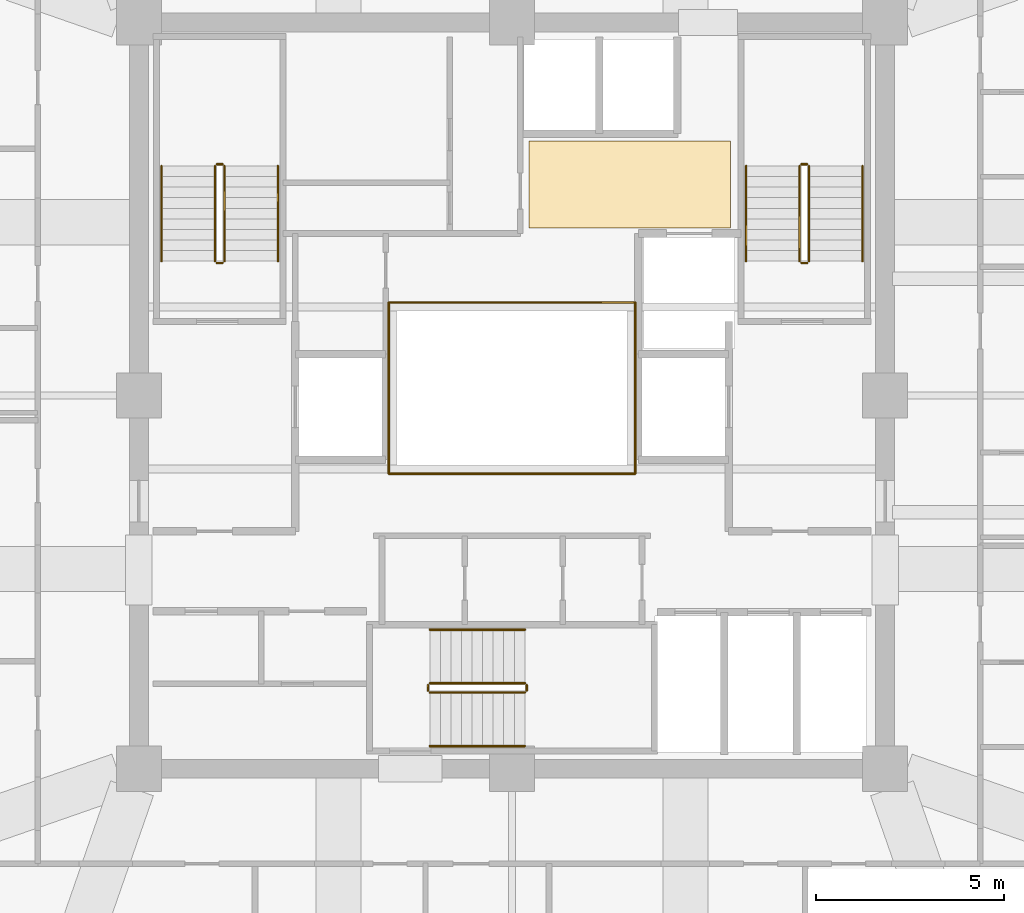
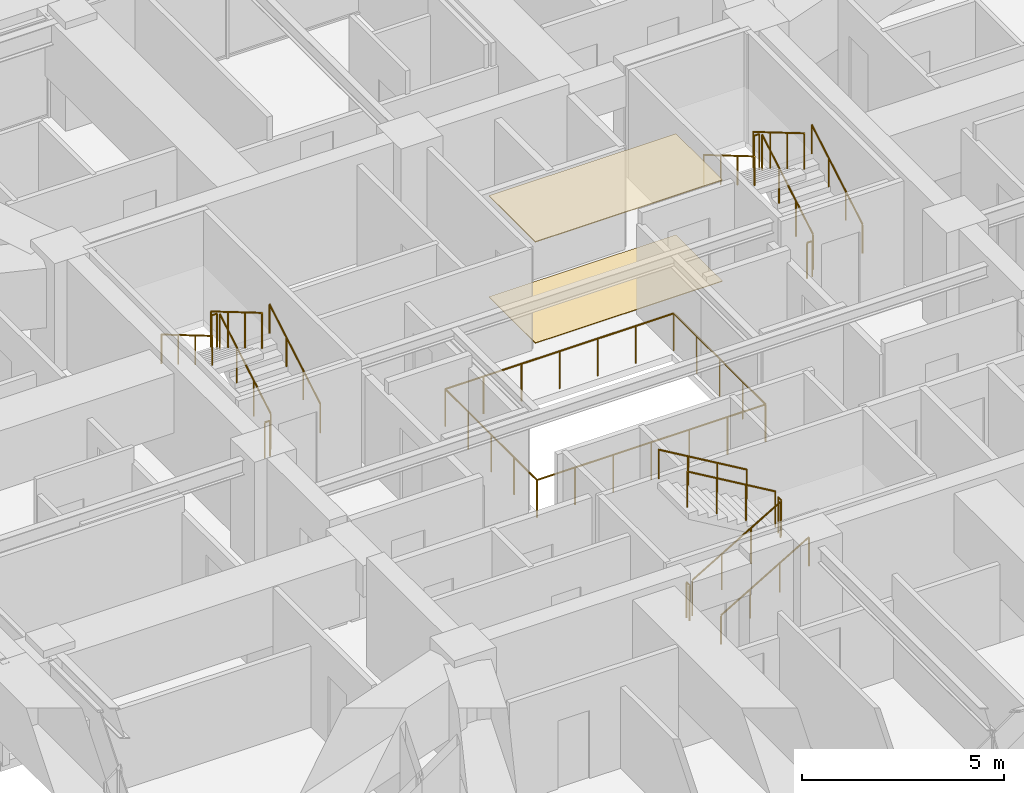
# One storey, part 39 of 40: 22 railings, 2 coverings.
"""IFC4 building model written with IfcOpenShell, lengths in metres."""

import ifcopenshell
import ifcopenshell.guid

model = None  # the IFC model being written
_history = None  # IfcOwnerHistory: only IFC2X3 demands one
_inside = {}  # id of a spatial element -> (the spatial element, [elements in it])
_under = {}  # id of a project, library or spatial element -> (it, [spatial elements below it])
_declared = {}  # id of a project -> (the project, [libraries it declares])
_typed = {}  # id of a type object -> (the type object, [elements of that type])
_made_of = {}  # id of a material, layer set ... -> (it, [elements and type objects made of it])


def new_model(schema):
    """Start an empty IFC model of exactly this schema.

    Asked for "IFC4X3", IfcOpenShell would pick the latest addendum, in which some entities
    have other attributes; the version numbers below select the first issue.
    IFC2X3 requires an IfcOwnerHistory on every rooted entity: one is made here for all.
    """
    global model, _history
    if schema == "IFC4X3":
        model = ifcopenshell.file(schema_version=(4, 3, 0, 0))
    else:
        model = ifcopenshell.file(schema=schema)
    _inside.clear()
    _under.clear()
    _declared.clear()
    _typed.clear()
    _made_of.clear()
    _history = None
    if model.schema == "IFC2X3":
        org = make("IfcOrganization", Name="unknown")
        user = make(
            "IfcPersonAndOrganization",
            ThePerson=make("IfcPerson", FamilyName="unknown"),
            TheOrganization=org,
        )
        app = make(
            "IfcApplication",
            ApplicationDeveloper=org,
            Version="unknown",
            ApplicationFullName="unknown",
            ApplicationIdentifier="unknown",
        )
        _history = make(
            "IfcOwnerHistory",
            OwningUser=user,
            OwningApplication=app,
            ChangeAction="ADDED",
            CreationDate=0,
        )
    return model


def make(cls, **values):
    """One entity of the class cls with the attributes given. An attribute that is None is left unset."""
    return model.create_entity(
        cls, **{name: value for name, value in values.items() if value is not None}
    )


def rooted(cls, **values):
    """An entity with a GlobalId (a new one), such as an element, a storey or a relation."""
    return make(cls, GlobalId=ifcopenshell.guid.new(), OwnerHistory=_history, **values)


def si_unit(unit_type, name, prefix=None):
    """IfcSIUnit, for example si_unit("LENGTHUNIT", "METRE", prefix="MILLI")."""
    return make("IfcSIUnit", UnitType=unit_type, Prefix=prefix, Name=name)


def assignment(units):
    """IfcUnitAssignment: the units of a project."""
    return None if units is None else make("IfcUnitAssignment", Units=units)


def point(xyz):
    """IfcCartesianPoint."""
    return None if xyz is None else make("IfcCartesianPoint", Coordinates=xyz)


def direction(xyz):
    """IfcDirection."""
    return None if xyz is None else make("IfcDirection", DirectionRatios=xyz)


def frame(location, z_axis=None, x_axis=None):
    """IfcAxis2Placement3D, a coordinate frame: its origin and axes. An axis left out is left unset."""
    return make(
        "IfcAxis2Placement3D",
        Location=point(location),
        Axis=direction(z_axis),
        RefDirection=direction(x_axis),
    )


def frame_2d(location, x_axis=None):
    """IfcAxis2Placement2D, a coordinate frame in the plane: its origin and x axis."""
    return make(
        "IfcAxis2Placement2D", Location=point(location), RefDirection=direction(x_axis)
    )


def origin():
    """The frame at (0, 0, 0) with its axes left unset."""
    return frame((0.0, 0.0, 0.0))


def origin_2d():
    """The frame at (0, 0) in the plane with its x axis left unset."""
    return frame_2d((0.0, 0.0))


def place(relative_to, where):
    """IfcLocalPlacement: puts the frame where relative to a parent placement (None: the world)."""
    return make(
        "IfcLocalPlacement", PlacementRelTo=relative_to, RelativePlacement=where
    )


def context(
    kind, dimensions, precision=None, world=None, true_north=None, identifier=None
):
    """IfcGeometricRepresentationContext, for example the 3D "Model" context."""
    return make(
        "IfcGeometricRepresentationContext",
        ContextIdentifier=identifier,
        ContextType=kind,
        CoordinateSpaceDimension=dimensions,
        Precision=precision,
        WorldCoordinateSystem=world,
        TrueNorth=true_north,
    )


def subcontext(parent, identifier, kind, view, scale=None):
    """IfcGeometricRepresentationSubContext, for example "Body" below "Model"."""
    return make(
        "IfcGeometricRepresentationSubContext",
        ContextIdentifier=identifier,
        ContextType=kind,
        ParentContext=parent,
        TargetScale=scale,
        TargetView=view,
    )


def project(units=None, contexts=None):
    """IfcProject with its units and contexts."""
    return rooted(
        "IfcProject",
        Name="project",
        RepresentationContexts=contexts,
        UnitsInContext=assignment(units),
    )


def spatial(cls, under=None, at=None, **own):
    """A site, building, storey or space (cls), placed at a placement, below another one or the project."""
    s = rooted(cls, ObjectPlacement=at, **own)
    if under is not None:
        _under.setdefault(under.id(), (under, []))[1].append(s)
    return s


def polyline(points):
    """IfcPolyline through the points."""
    return make("IfcPolyline", Points=[point(p) for p in points])


def profile(cls, at=None, kind="AREA", **sizes):
    """A parametric profile (cls). Its sizes go by their IFC names, for example OverallWidth=200.0."""
    return make(cls, ProfileType=kind, Position=at, **sizes)


def circle(**sizes):
    """IfcCircleProfileDef."""
    return profile("IfcCircleProfileDef", **sizes)


def outline(outer, holes=None, kind="AREA"):
    """IfcArbitraryClosedProfileDef: a profile drawn as a closed curve; with holes, ...WithVoids."""
    if holes is None:
        return make("IfcArbitraryClosedProfileDef", ProfileType=kind, OuterCurve=outer)
    return make(
        "IfcArbitraryProfileDefWithVoids",
        ProfileType=kind,
        OuterCurve=outer,
        InnerCurves=holes,
    )


def extrude(swept, where, along, depth):
    """IfcExtrudedAreaSolid: the profile swept, set in the frame where, extruded along a direction by depth."""
    return make(
        "IfcExtrudedAreaSolid",
        SweptArea=swept,
        Position=where,
        ExtrudedDirection=direction(along),
        Depth=depth,
    )


def shape(context_of_items, identifier, shape_type, items):
    """IfcShapeRepresentation: the items that make up one representation, for example the "Body"."""
    return make(
        "IfcShapeRepresentation",
        ContextOfItems=context_of_items,
        RepresentationIdentifier=identifier,
        RepresentationType=shape_type,
        Items=items,
    )


def material(Name=None, Category=None):
    """IfcMaterial."""
    return make("IfcMaterial", Name=Name, Category=Category)


def layer(
    of_material, thickness, ventilated=None, Name=None, Category=None, Priority=None
):
    """IfcMaterialLayer: one layer of a wall or slab, of a material (None: an air gap)."""
    return make(
        "IfcMaterialLayer",
        Material=of_material,
        LayerThickness=thickness,
        IsVentilated=ventilated,
        Name=Name,
        Category=Category,
        Priority=Priority,
    )


def layer_set(layers, Name=None):
    """IfcMaterialLayerSet."""
    return make("IfcMaterialLayerSet", MaterialLayers=layers, LayerSetName=Name)


def made_of(thing, what):
    """Note that an element or type object is made of a material, layer set ...; save() writes the relation."""
    if what is not None:
        _made_of.setdefault(what.id(), (what, []))[1].append(thing)
    return thing


def type_object(cls, material=None, **own):
    """A type object (cls), such as IfcWallType, which elements share."""
    return made_of(rooted(cls, **own), material)


def element(
    cls,
    number,
    at=None,
    inside=None,
    cuts=None,
    type_object=None,
    material=None,
    context=None,
    identifier="Body",
    shape_type=None,
    held_by="IfcProductDefinitionShape",
    body=None,
    shapes=None,
    **own,
):
    """One element of the class cls, such as IfcWall. Its Tag is "e" and its number.

    at: its placement. inside: the storey or other place that contains it. cuts: it is an
    opening in that element (IfcRelVoidsElement). A single representation is given by context,
    identifier, shape_type and body (its items); several are given by shapes. held_by: the class
    of the entity that holds the representations. save() writes the other relations.
    """
    e = rooted(cls, Tag="e%d" % number, ObjectPlacement=at, **own)
    if body is not None:
        shapes = [shape(context, identifier, shape_type, body)]
    if shapes is not None:
        e.Representation = make(held_by, Representations=shapes)
    if inside is not None:
        _inside.setdefault(inside.id(), (inside, []))[1].append(e)
    if cuts is not None:
        rooted(
            "IfcRelVoidsElement", RelatingBuildingElement=cuts, RelatedOpeningElement=e
        )
    if type_object is not None:
        _typed.setdefault(type_object.id(), (type_object, []))[1].append(e)
    return made_of(e, material)


def aggregate(whole, parts):
    """IfcRelAggregates: a whole, such as a stair, and the parts it consists of."""
    return rooted("IfcRelAggregates", RelatingObject=whole, RelatedObjects=parts)


def save(model, path):
    """Write the relations noted so far, then the file.

    IfcRelAggregates (storeys below a building ...), IfcRelContainedInSpatialStructure (elements
    in a storey), IfcRelDefinesByType, IfcRelAssociatesMaterial and IfcRelDeclares: one each for
    every whole, place, type object, material and project.
    """
    for whole, parts in _under.values():
        aggregate(whole, parts)
    for where, things in _inside.values():
        rooted(
            "IfcRelContainedInSpatialStructure",
            RelatedElements=things,
            RelatingStructure=where,
        )
    for kind, things in _typed.values():
        rooted("IfcRelDefinesByType", RelatedObjects=things, RelatingType=kind)
    for what, things in _made_of.values():
        rooted("IfcRelAssociatesMaterial", RelatedObjects=things, RelatingMaterial=what)
    for by, libraries in _declared.values():
        rooted("IfcRelDeclares", RelatingContext=by, RelatedDefinitions=libraries)
    model.write(path)


model = new_model("IFC4")

# Units and contexts
model_context = context("Model", 3, precision=1e-05, world=origin(), true_north=direction((0.0, 1.0)))
body_context = subcontext(model_context, "Body", "Model", "MODEL_VIEW")
ifc_project = project(units=[si_unit("LENGTHUNIT", "METRE"), si_unit("AREAUNIT", "SQUARE_METRE"), si_unit("VOLUMEUNIT", "CUBIC_METRE"), si_unit("PLANEANGLEUNIT", "RADIAN"), si_unit("MASSUNIT", "GRAM", prefix="KILO")], contexts=[model_context])

# Site, building, storey
site_placement = place(None, origin())
site = spatial("IfcSite", under=ifc_project, at=site_placement, CompositionType="ELEMENT")
building_placement = place(site_placement, origin())
building = spatial("IfcBuilding", under=site, at=building_placement, Name="Kolvaren Belvedere", CompositionType="ELEMENT")
storey_placement = place(building_placement, frame((0.0, 0.0, 170.10009765625)))
storey = spatial("IfcBuildingStorey", under=building, at=storey_placement, Name="L49", CompositionType="ELEMENT", Elevation=170.10009765625)

# Coverings
ifc_material_1 = material(Name="Acoustic perforated gypsum board", Category="gypsum")
ifc_layer_1 = layer(ifc_material_1, 0.02490234375)
ifc_layer_set_1 = layer_set([ifc_layer_1], Name="Acoustic perforated gypsum board")
covering_type_1 = type_object("IfcCoveringType", Name="COV-CEIL-GYP", PredefinedType="CEILING", material=ifc_layer_set_1)
covering_1_placement = place(storey_placement, frame((0.0, 0.0, 3.054931640625)))
element("IfcCovering", 1, at=covering_1_placement, inside=storey, type_object=covering_type_1, Name="L49 Lift Lobby Acoustic Baffle Ceiling", PredefinedType="CEILING", context=body_context, shape_type="SweptSolid", body=[
    extrude(outline(polyline([(0.449951171875, 4.449951171875), (5.800048828125, 4.449951171875), (5.800048828125, 6.75), (0.449951171875, 6.75), (0.449951171875, 4.449951171875)])), origin(), (0.0, 0.0, 1.0), 0.02490234375),
])
ifc_material_2 = material(Name="Engineered Pacific white oak", Category="timber")
ifc_layer_2 = layer(ifc_material_2, 0.02001953125)
ifc_layer_set_2 = layer_set([ifc_layer_2], Name="Engineered Pacific white oak")
covering_type_2 = type_object("IfcCoveringType", Name="COV-FLR-OAK", PredefinedType="FLOORING", material=ifc_layer_set_2)
covering_2_placement = place(storey_placement, origin())
element("IfcCovering", 2, at=covering_2_placement, inside=storey, type_object=covering_type_2, Name="L49 Lift Lobby Finish Flooring", PredefinedType="FLOORING", context=body_context, shape_type="SweptSolid", body=[
    extrude(outline(polyline([(0.449951171875, 4.449951171875), (5.800048828125, 4.449951171875), (5.800048828125, 6.75), (0.449951171875, 6.75), (0.449951171875, 4.449951171875)])), origin(), (0.0, 0.0, 1.0), 0.02001953125),
])

# Railings
ifc_material_3 = material(Name="Laminated glass & stainless-steel cap rail", Category="steel")
railing_type_1 = type_object("IfcRailingType", Name="RL-ATR-1150", PredefinedType="BALUSTRADE", material=ifc_material_3)
for number, where, name in (
    (3, (-3.27001953125, 2.469970703125, 0.0), "L49 Atrium North Glass Balustrade"),
    (4, (-3.27001953125, -2.070068359375, 0.0), "L49 Atrium South Glass Balustrade"),
):
    element("IfcRailing", number, at=place(storey_placement, frame(where)), inside=storey, type_object=railing_type_1, Name=name, PredefinedType="BALUSTRADE", context=body_context, shape_type="SweptSolid", body=[
        extrude(circle(Radius=0.02392578125, at=origin_2d()), frame((0.0, 0.0, 1.1259765625), z_axis=(1.0, 0.0, 0.0), x_axis=(0.0, 1.0, 0.0)), (0.0, 0.0, 1.0), 6.5400390625),
        extrude(circle(Radius=0.02099609375, at=origin_2d()), origin(), (0.0, 0.0, 1.0), 1.101806640625),
        extrude(circle(Radius=0.02099609375, at=origin_2d()), frame((1.090087890625, 0.0, 0.0)), (0.0, 0.0, 1.0), 1.101806640625),
        extrude(circle(Radius=0.02099609375, at=origin_2d()), frame((2.179931640625, 0.0, 0.0)), (0.0, 0.0, 1.0), 1.101806640625),
        extrude(circle(Radius=0.02099609375, at=origin_2d()), frame((3.27001953125, 0.0, 0.0)), (0.0, 0.0, 1.0), 1.101806640625),
        extrude(circle(Radius=0.02099609375, at=origin_2d()), frame((4.360107421875, 0.0, 0.0)), (0.0, 0.0, 1.0), 1.101806640625),
        extrude(circle(Radius=0.02099609375, at=origin_2d()), frame((5.449951171875, 0.0, 0.0)), (0.0, 0.0, 1.0), 1.101806640625),
        extrude(circle(Radius=0.02099609375, at=origin_2d()), frame((6.5400390625, 0.0, 0.0)), (0.0, 0.0, 1.0), 1.101806640625),
    ])
for number, where, name in (
    (5, (-3.27001953125, -2.070068359375, 0.0), "L49 Atrium West Glass Balustrade"),
    (6, (3.27001953125, -2.070068359375, 0.0), "L49 Atrium East Glass Balustrade"),
):
    element("IfcRailing", number, at=place(storey_placement, frame(where)), inside=storey, type_object=railing_type_1, Name=name, PredefinedType="BALUSTRADE", context=body_context, shape_type="SweptSolid", body=[
        extrude(circle(Radius=0.02392578125, at=origin_2d()), frame((0.0, 0.0, 1.1259765625), z_axis=(0.0, 1.0, 0.0), x_axis=(-1.0, 0.0, 0.0)), (0.0, 0.0, 1.0), 4.5400390625),
        extrude(circle(Radius=0.02099609375, at=origin_2d()), origin(), (0.0, 0.0, 1.0), 1.101806640625),
        extrude(circle(Radius=0.02099609375, at=origin_2d()), frame((0.0, 1.135009765625, 0.0)), (0.0, 0.0, 1.0), 1.101806640625),
        extrude(circle(Radius=0.02099609375, at=origin_2d()), frame((0.0, 2.27001953125, 0.0)), (0.0, 0.0, 1.0), 1.101806640625),
        extrude(circle(Radius=0.02099609375, at=origin_2d()), frame((0.0, 3.405029296875, 0.0)), (0.0, 0.0, 1.0), 1.101806640625),
        extrude(circle(Radius=0.02099609375, at=origin_2d()), frame((0.0, 4.5400390625, 0.0)), (0.0, 0.0, 1.0), 1.101806640625),
    ])
ifc_material_4 = material(Name="Brushed stainless-steel handrail", Category="steel")
railing_type_2 = type_object("IfcRailingType", Name="RL-HANDRAIL-920", PredefinedType="HANDRAIL", material=ifc_material_4)
railing_1_placement = place(storey_placement, frame((-6.2099609375, 3.570068359375, 0.164794921875)))
element("IfcRailing", 7, at=railing_1_placement, inside=storey, type_object=railing_type_2, Name="L49 ST-1 stair handrail 1", PredefinedType="HANDRAIL", context=body_context, shape_type="SweptSolid", body=[
    extrude(circle(Radius=0.02392578125, at=origin_2d()), frame((0.0, 0.0, 0.8759765625), z_axis=(0.0, 0.86152411907, 0.507716645641), x_axis=(-1.0, 0.0, 0.0)), (0.0, 0.0, 1.0), 2.925048828125),
    extrude(circle(Radius=0.02099609375, at=origin_2d()), origin(), (0.0, 0.0, 1.0), 0.851806640625),
    extrude(circle(Radius=0.02099609375, at=origin_2d()), frame((0.0, 0.840087890625, 0.4951171875)), (0.0, 0.0, 1.0), 0.851806640625),
    extrude(circle(Radius=0.02099609375, at=origin_2d()), frame((0.0, 1.679931640625, 0.989990234375)), (0.0, 0.0, 1.0), 0.851806640625),
    extrude(circle(Radius=0.02099609375, at=origin_2d()), frame((0.0, 2.52001953125, 1.485107421875)), (0.0, 0.0, 1.0), 0.851806640625),
])
railing_2_placement = place(storey_placement, frame((-9.300048828125, 6.090087890625, 1.81494140625)))
element("IfcRailing", 8, at=railing_2_placement, inside=storey, type_object=railing_type_2, Name="L49 ST-1 stair handrail 2", PredefinedType="HANDRAIL", context=body_context, shape_type="SweptSolid", body=[
    extrude(circle(Radius=0.02392578125, at=origin_2d()), frame((0.0, 0.0, 0.8759765625), z_axis=(0.0, -0.861560626758, 0.507654692109), x_axis=(1.0, 0.0, 0.0)), (0.0, 0.0, 1.0), 2.925048828125),
    extrude(circle(Radius=0.02099609375, at=origin_2d()), origin(), (0.0, 0.0, 1.0), 0.851806640625),
    extrude(circle(Radius=0.02099609375, at=origin_2d()), frame((0.0, -0.840087890625, 0.494873046875)), (0.0, 0.0, 1.0), 0.851806640625),
    extrude(circle(Radius=0.02099609375, at=origin_2d()), frame((0.0, -1.679931640625, 0.989990234375)), (0.0, 0.0, 1.0), 0.851806640625),
    extrude(circle(Radius=0.02099609375, at=origin_2d()), frame((0.0, -2.52001953125, 1.48486328125)), (0.0, 0.0, 1.0), 0.851806640625),
])
railing_3_placement = place(storey_placement, frame((9.300048828125, 3.570068359375, 0.164794921875)))
element("IfcRailing", 9, at=railing_3_placement, inside=storey, type_object=railing_type_2, Name="L49 ST-2 stair handrail 1", PredefinedType="HANDRAIL", context=body_context, shape_type="SweptSolid", body=[
    extrude(circle(Radius=0.02392578125, at=origin_2d()), frame((0.0, 0.0, 0.8759765625), z_axis=(0.0, 0.86152411907, 0.507716645641), x_axis=(-1.0, 0.0, 0.0)), (0.0, 0.0, 1.0), 2.925048828125),
    extrude(circle(Radius=0.02099609375, at=origin_2d()), origin(), (0.0, 0.0, 1.0), 0.851806640625),
    extrude(circle(Radius=0.02099609375, at=origin_2d()), frame((0.0, 0.840087890625, 0.4951171875)), (0.0, 0.0, 1.0), 0.851806640625),
    extrude(circle(Radius=0.02099609375, at=origin_2d()), frame((0.0, 1.679931640625, 0.989990234375)), (0.0, 0.0, 1.0), 0.851806640625),
    extrude(circle(Radius=0.02099609375, at=origin_2d()), frame((0.0, 2.52001953125, 1.485107421875)), (0.0, 0.0, 1.0), 0.851806640625),
])
railing_4_placement = place(storey_placement, frame((6.2099609375, 6.090087890625, 1.81494140625)))
element("IfcRailing", 10, at=railing_4_placement, inside=storey, type_object=railing_type_2, Name="L49 ST-2 stair handrail 2", PredefinedType="HANDRAIL", context=body_context, shape_type="SweptSolid", body=[
    extrude(circle(Radius=0.02392578125, at=origin_2d()), frame((0.0, 0.0, 0.8759765625), z_axis=(0.0, -0.861560626758, 0.507654692109), x_axis=(1.0, 0.0, 0.0)), (0.0, 0.0, 1.0), 2.925048828125),
    extrude(circle(Radius=0.02099609375, at=origin_2d()), origin(), (0.0, 0.0, 1.0), 0.851806640625),
    extrude(circle(Radius=0.02099609375, at=origin_2d()), frame((0.0, -0.840087890625, 0.494873046875)), (0.0, 0.0, 1.0), 0.851806640625),
    extrude(circle(Radius=0.02099609375, at=origin_2d()), frame((0.0, -1.679931640625, 0.989990234375)), (0.0, 0.0, 1.0), 0.851806640625),
    extrude(circle(Radius=0.02099609375, at=origin_2d()), frame((0.0, -2.52001953125, 1.48486328125)), (0.0, 0.0, 1.0), 0.851806640625),
])
railing_5_placement = place(storey_placement, frame((-2.179931640625, -9.300048828125, 0.164794921875)))
element("IfcRailing", 11, at=railing_5_placement, inside=storey, type_object=railing_type_2, Name="L49 ST-3 stair handrail 1", PredefinedType="HANDRAIL", context=body_context, shape_type="SweptSolid", body=[
    extrude(circle(Radius=0.02392578125, at=origin_2d()), frame((0.0, 0.0, 0.8759765625), z_axis=(0.86152411907, 0.0, 0.507716645641), x_axis=(0.0, 1.0, 0.0)), (0.0, 0.0, 1.0), 2.925048828125),
    extrude(circle(Radius=0.02099609375, at=origin_2d()), origin(), (0.0, 0.0, 1.0), 0.851806640625),
    extrude(circle(Radius=0.02099609375, at=origin_2d()), frame((0.840087890625, 0.0, 0.4951171875)), (0.0, 0.0, 1.0), 0.851806640625),
    extrude(circle(Radius=0.02099609375, at=origin_2d()), frame((1.679931640625, 0.0, 0.989990234375)), (0.0, 0.0, 1.0), 0.851806640625),
    extrude(circle(Radius=0.02099609375, at=origin_2d()), frame((2.52001953125, 0.0, 1.485107421875)), (0.0, 0.0, 1.0), 0.851806640625),
])
railing_6_placement = place(storey_placement, frame((0.340087890625, -6.2099609375, 1.81494140625)))
element("IfcRailing", 12, at=railing_6_placement, inside=storey, type_object=railing_type_2, Name="L49 ST-3 stair handrail 2", PredefinedType="HANDRAIL", context=body_context, shape_type="SweptSolid", body=[
    extrude(circle(Radius=0.02392578125, at=origin_2d()), frame((0.0, 0.0, 0.8759765625), z_axis=(-0.861560626758, 0.0, 0.507654692109), x_axis=(0.0, -1.0, 0.0)), (0.0, 0.0, 1.0), 2.925048828125),
    extrude(circle(Radius=0.02099609375, at=origin_2d()), origin(), (0.0, 0.0, 1.0), 0.851806640625),
    extrude(circle(Radius=0.02099609375, at=origin_2d()), frame((-0.840087890625, 0.0, 0.494873046875)), (0.0, 0.0, 1.0), 0.851806640625),
    extrude(circle(Radius=0.02099609375, at=origin_2d()), frame((-1.679931640625, 0.0, 0.989990234375)), (0.0, 0.0, 1.0), 0.851806640625),
    extrude(circle(Radius=0.02099609375, at=origin_2d()), frame((-2.52001953125, 0.0, 1.48486328125)), (0.0, 0.0, 1.0), 0.851806640625),
])
ifc_material_5 = material(Name="Painted tubular steel stair guard", Category="steel")
railing_type_3 = type_object("IfcRailingType", Name="RL-STGUARD-1100", PredefinedType="GUARDRAIL", material=ifc_material_5)
railing_7_placement = place(storey_placement, frame((-7.6298828125, 3.570068359375, 0.164794921875)))
element("IfcRailing", 13, at=railing_7_placement, inside=storey, type_object=railing_type_3, Name="L49 ST-1 stair guard 1", PredefinedType="GUARDRAIL", context=body_context, shape_type="SweptSolid", body=[
    extrude(circle(Radius=0.02392578125, at=origin_2d()), frame((0.0, 0.0, 1.076171875), z_axis=(0.0, 0.86152411907, 0.507716645641), x_axis=(-1.0, 0.0, 0.0)), (0.0, 0.0, 1.0), 2.925048828125),
    extrude(circle(Radius=0.02099609375, at=origin_2d()), origin(), (0.0, 0.0, 1.0), 1.052001953125),
    extrude(circle(Radius=0.02099609375, at=origin_2d()), frame((0.0, 0.840087890625, 0.4951171875)), (0.0, 0.0, 1.0), 1.052001953125),
    extrude(circle(Radius=0.02099609375, at=origin_2d()), frame((0.0, 1.679931640625, 0.989990234375)), (0.0, 0.0, 1.0), 1.052001953125),
    extrude(circle(Radius=0.02099609375, at=origin_2d()), frame((0.0, 2.52001953125, 1.485107421875)), (0.0, 0.0, 1.0), 1.052001953125),
])
railing_8_placement = place(storey_placement, frame((-7.679931640625, 6.139892578125, 1.64990234375)))
element("IfcRailing", 14, at=railing_8_placement, inside=storey, type_object=railing_type_3, Name="L49 ST-1 stair guard 2", PredefinedType="GUARDRAIL", context=body_context, shape_type="SweptSolid", body=[
    extrude(circle(Radius=0.02392578125, at=origin_2d()), frame((0.0, 0.0, 1.076171875), z_axis=(-1.0, 0.0, 0.0), x_axis=(0.0, -1.0, 0.0)), (0.0, 0.0, 1.0), 0.150146484375),
    extrude(circle(Radius=0.02099609375, at=origin_2d()), origin(), (0.0, 0.0, 1.0), 1.052001953125),
    extrude(circle(Radius=0.02099609375, at=origin_2d()), frame((-0.150146484375, 0.0, 0.0)), (0.0, 0.0, 1.0), 1.052001953125),
])
railing_9_placement = place(storey_placement, frame((-7.8798828125, 6.090087890625, 1.81494140625)))
element("IfcRailing", 15, at=railing_9_placement, inside=storey, type_object=railing_type_3, Name="L49 ST-1 stair guard 3", PredefinedType="GUARDRAIL", context=body_context, shape_type="SweptSolid", body=[
    extrude(circle(Radius=0.02392578125, at=origin_2d()), frame((0.0, 0.0, 1.076171875), z_axis=(0.0, -0.861560626758, 0.507654692109), x_axis=(1.0, 0.0, 0.0)), (0.0, 0.0, 1.0), 2.925048828125),
    extrude(circle(Radius=0.02099609375, at=origin_2d()), origin(), (0.0, 0.0, 1.0), 1.052001953125),
    extrude(circle(Radius=0.02099609375, at=origin_2d()), frame((0.0, -0.840087890625, 0.494873046875)), (0.0, 0.0, 1.0), 1.052001953125),
    extrude(circle(Radius=0.02099609375, at=origin_2d()), frame((0.0, -1.679931640625, 0.989990234375)), (0.0, 0.0, 1.0), 1.052001953125),
    extrude(circle(Radius=0.02099609375, at=origin_2d()), frame((0.0, -2.52001953125, 1.48486328125)), (0.0, 0.0, 1.0), 1.052001953125),
])
railing_10_placement = place(storey_placement, frame((-7.679931640625, 3.52001953125, 0.0)))
element("IfcRailing", 16, at=railing_10_placement, inside=storey, type_object=railing_type_3, Name="L49 ST-1 stair guard 4", PredefinedType="GUARDRAIL", context=body_context, shape_type="SweptSolid", body=[
    extrude(circle(Radius=0.02392578125, at=origin_2d()), frame((0.0, 0.0, 1.076171875), z_axis=(-1.0, 0.0, 0.0), x_axis=(0.0, -1.0, 0.0)), (0.0, 0.0, 1.0), 0.150146484375),
    extrude(circle(Radius=0.02099609375, at=origin_2d()), origin(), (0.0, 0.0, 1.0), 1.052001953125),
    extrude(circle(Radius=0.02099609375, at=origin_2d()), frame((-0.150146484375, 0.0, 0.0)), (0.0, 0.0, 1.0), 1.052001953125),
])
railing_11_placement = place(storey_placement, frame((7.8798828125, 3.570068359375, 0.164794921875)))
element("IfcRailing", 17, at=railing_11_placement, inside=storey, type_object=railing_type_3, Name="L49 ST-2 stair guard 1", PredefinedType="GUARDRAIL", context=body_context, shape_type="SweptSolid", body=[
    extrude(circle(Radius=0.02392578125, at=origin_2d()), frame((0.0, 0.0, 1.076171875), z_axis=(0.0, 0.86152411907, 0.507716645641), x_axis=(-1.0, 0.0, 0.0)), (0.0, 0.0, 1.0), 2.925048828125),
    extrude(circle(Radius=0.02099609375, at=origin_2d()), origin(), (0.0, 0.0, 1.0), 1.052001953125),
    extrude(circle(Radius=0.02099609375, at=origin_2d()), frame((0.0, 0.840087890625, 0.4951171875)), (0.0, 0.0, 1.0), 1.052001953125),
    extrude(circle(Radius=0.02099609375, at=origin_2d()), frame((0.0, 1.679931640625, 0.989990234375)), (0.0, 0.0, 1.0), 1.052001953125),
    extrude(circle(Radius=0.02099609375, at=origin_2d()), frame((0.0, 2.52001953125, 1.485107421875)), (0.0, 0.0, 1.0), 1.052001953125),
])
railing_12_placement = place(storey_placement, frame((7.830078125, 6.139892578125, 1.64990234375)))
element("IfcRailing", 18, at=railing_12_placement, inside=storey, type_object=railing_type_3, Name="L49 ST-2 stair guard 2", PredefinedType="GUARDRAIL", context=body_context, shape_type="SweptSolid", body=[
    extrude(circle(Radius=0.02392578125, at=origin_2d()), frame((0.0, 0.0, 1.076171875), z_axis=(-1.0, 0.0, 0.0), x_axis=(0.0, -1.0, 0.0)), (0.0, 0.0, 1.0), 0.150146484375),
    extrude(circle(Radius=0.02099609375, at=origin_2d()), origin(), (0.0, 0.0, 1.0), 1.052001953125),
    extrude(circle(Radius=0.02099609375, at=origin_2d()), frame((-0.150146484375, 0.0, 0.0)), (0.0, 0.0, 1.0), 1.052001953125),
])
railing_13_placement = place(storey_placement, frame((7.6298828125, 6.090087890625, 1.81494140625)))
element("IfcRailing", 19, at=railing_13_placement, inside=storey, type_object=railing_type_3, Name="L49 ST-2 stair guard 3", PredefinedType="GUARDRAIL", context=body_context, shape_type="SweptSolid", body=[
    extrude(circle(Radius=0.02392578125, at=origin_2d()), frame((0.0, 0.0, 1.076171875), z_axis=(0.0, -0.861560626758, 0.507654692109), x_axis=(1.0, 0.0, 0.0)), (0.0, 0.0, 1.0), 2.925048828125),
    extrude(circle(Radius=0.02099609375, at=origin_2d()), origin(), (0.0, 0.0, 1.0), 1.052001953125),
    extrude(circle(Radius=0.02099609375, at=origin_2d()), frame((0.0, -0.840087890625, 0.494873046875)), (0.0, 0.0, 1.0), 1.052001953125),
    extrude(circle(Radius=0.02099609375, at=origin_2d()), frame((0.0, -1.679931640625, 0.989990234375)), (0.0, 0.0, 1.0), 1.052001953125),
    extrude(circle(Radius=0.02099609375, at=origin_2d()), frame((0.0, -2.52001953125, 1.48486328125)), (0.0, 0.0, 1.0), 1.052001953125),
])
railing_14_placement = place(storey_placement, frame((7.830078125, 3.52001953125, 0.0)))
element("IfcRailing", 20, at=railing_14_placement, inside=storey, type_object=railing_type_3, Name="L49 ST-2 stair guard 4", PredefinedType="GUARDRAIL", context=body_context, shape_type="SweptSolid", body=[
    extrude(circle(Radius=0.02392578125, at=origin_2d()), frame((0.0, 0.0, 1.076171875), z_axis=(-1.0, 0.0, 0.0), x_axis=(0.0, -1.0, 0.0)), (0.0, 0.0, 1.0), 0.150146484375),
    extrude(circle(Radius=0.02099609375, at=origin_2d()), origin(), (0.0, 0.0, 1.0), 1.052001953125),
    extrude(circle(Radius=0.02099609375, at=origin_2d()), frame((-0.150146484375, 0.0, 0.0)), (0.0, 0.0, 1.0), 1.052001953125),
])
railing_15_placement = place(storey_placement, frame((-2.179931640625, -7.8798828125, 0.164794921875)))
element("IfcRailing", 21, at=railing_15_placement, inside=storey, type_object=railing_type_3, Name="L49 ST-3 stair guard 1", PredefinedType="GUARDRAIL", context=body_context, shape_type="SweptSolid", body=[
    extrude(circle(Radius=0.02392578125, at=origin_2d()), frame((0.0, 0.0, 1.076171875), z_axis=(0.86152411907, 0.0, 0.507716645641), x_axis=(0.0, 1.0, 0.0)), (0.0, 0.0, 1.0), 2.925048828125),
    extrude(circle(Radius=0.02099609375, at=origin_2d()), origin(), (0.0, 0.0, 1.0), 1.052001953125),
    extrude(circle(Radius=0.02099609375, at=origin_2d()), frame((0.840087890625, 0.0, 0.4951171875)), (0.0, 0.0, 1.0), 1.052001953125),
    extrude(circle(Radius=0.02099609375, at=origin_2d()), frame((1.679931640625, 0.0, 0.989990234375)), (0.0, 0.0, 1.0), 1.052001953125),
    extrude(circle(Radius=0.02099609375, at=origin_2d()), frame((2.52001953125, 0.0, 1.485107421875)), (0.0, 0.0, 1.0), 1.052001953125),
])
railing_16_placement = place(storey_placement, frame((0.389892578125, -7.830078125, 1.64990234375)))
element("IfcRailing", 22, at=railing_16_placement, inside=storey, type_object=railing_type_3, Name="L49 ST-3 stair guard 2", PredefinedType="GUARDRAIL", context=body_context, shape_type="SweptSolid", body=[
    extrude(circle(Radius=0.02392578125, at=origin_2d()), frame((0.0, 0.0, 1.076171875), z_axis=(0.0, 1.0, 0.0), x_axis=(-1.0, 0.0, 0.0)), (0.0, 0.0, 1.0), 0.150146484375),
    extrude(circle(Radius=0.02099609375, at=origin_2d()), origin(), (0.0, 0.0, 1.0), 1.052001953125),
    extrude(circle(Radius=0.02099609375, at=origin_2d()), frame((0.0, 0.150146484375, 0.0)), (0.0, 0.0, 1.0), 1.052001953125),
])
railing_17_placement = place(storey_placement, frame((0.340087890625, -7.6298828125, 1.81494140625)))
element("IfcRailing", 23, at=railing_17_placement, inside=storey, type_object=railing_type_3, Name="L49 ST-3 stair guard 3", PredefinedType="GUARDRAIL", context=body_context, shape_type="SweptSolid", body=[
    extrude(circle(Radius=0.02392578125, at=origin_2d()), frame((0.0, 0.0, 1.076171875), z_axis=(-0.861560626758, 0.0, 0.507654692109), x_axis=(0.0, -1.0, 0.0)), (0.0, 0.0, 1.0), 2.925048828125),
    extrude(circle(Radius=0.02099609375, at=origin_2d()), origin(), (0.0, 0.0, 1.0), 1.052001953125),
    extrude(circle(Radius=0.02099609375, at=origin_2d()), frame((-0.840087890625, 0.0, 0.494873046875)), (0.0, 0.0, 1.0), 1.052001953125),
    extrude(circle(Radius=0.02099609375, at=origin_2d()), frame((-1.679931640625, 0.0, 0.989990234375)), (0.0, 0.0, 1.0), 1.052001953125),
    extrude(circle(Radius=0.02099609375, at=origin_2d()), frame((-2.52001953125, 0.0, 1.48486328125)), (0.0, 0.0, 1.0), 1.052001953125),
])
railing_18_placement = place(storey_placement, frame((-2.22998046875, -7.830078125, 0.0)))
element("IfcRailing", 24, at=railing_18_placement, inside=storey, type_object=railing_type_3, Name="L49 ST-3 stair guard 4", PredefinedType="GUARDRAIL", context=body_context, shape_type="SweptSolid", body=[
    extrude(circle(Radius=0.02392578125, at=origin_2d()), frame((0.0, 0.0, 1.076171875), z_axis=(0.0, 1.0, 0.0), x_axis=(-1.0, 0.0, 0.0)), (0.0, 0.0, 1.0), 0.150146484375),
    extrude(circle(Radius=0.02099609375, at=origin_2d()), origin(), (0.0, 0.0, 1.0), 1.052001953125),
    extrude(circle(Radius=0.02099609375, at=origin_2d()), frame((0.0, 0.150146484375, 0.0)), (0.0, 0.0, 1.0), 1.052001953125),
])

save(model, "model.ifc")
